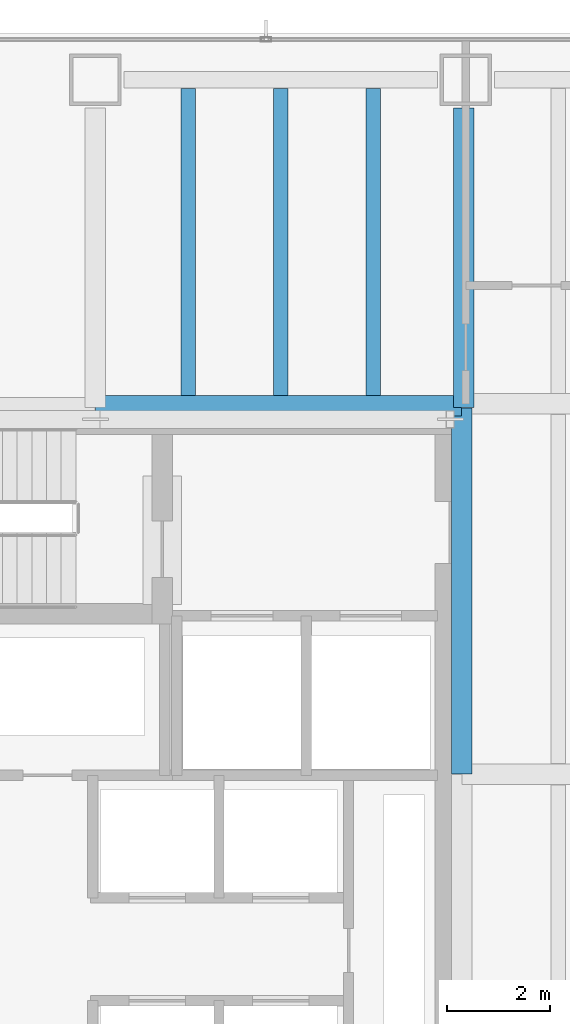
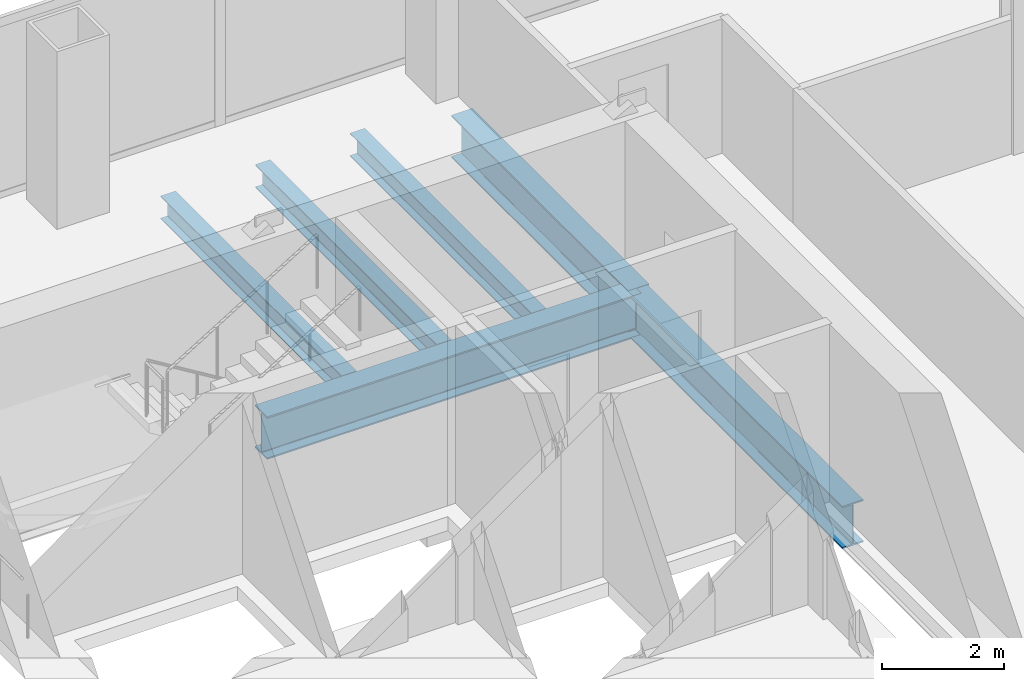
# One storey, part 15 of 25: 6 beams.
"""IFC4 building model written with IfcOpenShell, lengths in metres."""

from ifc_helpers import new_model, si_unit, direction, frame, origin, origin_2d, place, context, subcontext, project, spatial, i_section, extrude, material, material_profile, profile_set, type_object, element, save


model = new_model("IFC4")

# Units and contexts
model_context = context("Model", 3, precision=1e-05, world=origin(), true_north=direction((0.0, 1.0)))
body_context = subcontext(model_context, "Body", "Model", "MODEL_VIEW")
ifc_project = project(units=[si_unit("LENGTHUNIT", "METRE"), si_unit("AREAUNIT", "SQUARE_METRE"), si_unit("VOLUMEUNIT", "CUBIC_METRE"), si_unit("PLANEANGLEUNIT", "RADIAN"), si_unit("MASSUNIT", "GRAM", prefix="KILO")], contexts=[model_context])

# Site, building, storey
site_placement = place(None, origin())
site = spatial("IfcSite", under=ifc_project, at=site_placement, CompositionType="ELEMENT")
building_placement = place(site_placement, origin())
building = spatial("IfcBuilding", under=site, at=building_placement, Name="Cobrela Telecom Tower", CompositionType="ELEMENT")
storey_placement = place(building_placement, frame((0.0, 0.0, 46.550048828125)))
storey = spatial("IfcBuildingStorey", under=building, at=storey_placement, Name="L11", CompositionType="ELEMENT", Elevation=46.550048828125)

# Beams
ifc_material = material(Name="Steel ASTM A992 Grade 50", Category="steel")
ifc_material_profile_1 = material_profile(ifc_material, i_section(OverallWidth=0.39892578125, OverallDepth=0.85595703125, WebThickness=0.018310546875, FlangeThickness=0.029296875, FilletRadius=0.02001953125, at=origin_2d()), Name="W33X201")
ifc_profile_set_1 = profile_set([ifc_material_profile_1], Name="Steel ASTM A992 Grade 50")
beam_type_1 = type_object("IfcBeamType", Name="BM-GIRD-03", PredefinedType="USERDEFINED", material=ifc_profile_set_1)
beam_1_placement = place(storey_placement, frame((7.205078125, 35.9599609375, -0.7080078125), z_axis=(1.0, 0.0, 0.0), x_axis=(0.0, 1.0, 0.0)))
element("IfcBeam", 1, at=beam_1_placement, inside=storey, type_object=beam_type_1, Name="L11 Primary Girder X26", ObjectType="GIRDER", PredefinedType="USERDEFINED", context=body_context, shape_type="SweptSolid", body=[
    extrude(i_section(OverallWidth=0.39892578125, OverallDepth=0.85595703125, WebThickness=0.018310546875, FlangeThickness=0.029296875, FilletRadius=0.02001953125, at=origin_2d()), origin(), (0.0, 0.0, 1.0), 7.10986328125),
])
beam_2_placement = place(storey_placement, frame((14.320068359375, 28.804931640625, -0.7080078125), z_axis=(0.0, 1.0, 0.0), x_axis=(-1.0, 0.0, 0.0)))
element("IfcBeam", 2, at=beam_2_placement, inside=storey, type_object=beam_type_1, Name="L11 Primary Girder Y38", ObjectType="GIRDER", PredefinedType="USERDEFINED", context=body_context, shape_type="SweptSolid", body=[
    extrude(i_section(OverallWidth=0.39892578125, OverallDepth=0.85595703125, WebThickness=0.018310546875, FlangeThickness=0.029296875, FilletRadius=0.02001953125, at=origin_2d()), origin(), (0.0, 0.0, 1.0), 7.110107421875),
])
beam_3_placement = place(storey_placement, frame((14.360107421875, 35.925048828125, -0.7080078125), z_axis=(0.0, 1.0, 0.0), x_axis=(-1.0, 0.0, 0.0)))
element("IfcBeam", 3, at=beam_3_placement, inside=storey, type_object=beam_type_1, Name="L11 Primary Girder Y39", ObjectType="GIRDER", PredefinedType="USERDEFINED", context=body_context, shape_type="SweptSolid", body=[
    extrude(i_section(OverallWidth=0.39892578125, OverallDepth=0.85595703125, WebThickness=0.018310546875, FlangeThickness=0.029296875, FilletRadius=0.02001953125, at=origin_2d()), origin(), (0.0, 0.0, 1.0), 5.820068359375),
])
ifc_material_profile_2 = material_profile(ifc_material, i_section(OverallWidth=0.281982421875, OverallDepth=0.467041015625, WebThickness=0.01220703125, FlangeThickness=0.01953125, FilletRadius=0.012939453125, at=origin_2d()), Name="W18X86")
ifc_profile_set_2 = profile_set([ifc_material_profile_2], Name="Steel ASTM A992 Grade 50")
beam_type_2 = type_object("IfcBeamType", Name="BM-JOIST-02", PredefinedType="JOIST", material=ifc_profile_set_2)
for number, where, z_axis, x_axis, name in (
    (4, (9.0, 36.16455078125, -0.513427734375), (0.0, 1.0, 0.0), (-1.0, 0.0, 0.0), "L11 Secondary Composite Floor Beam J02"),
    (5, (10.800048828125, 36.16455078125, -0.513427734375), (0.0, 1.0, 0.0), (-1.0, 0.0, 0.0), "L11 Secondary Composite Floor Beam J04"),
    (6, (12.60009765625, 36.16455078125, -0.513427734375), (0.0, 1.0, 0.0), (-1.0, 0.0, 0.0), "L11 Secondary Composite Floor Beam J06"),
):
    element("IfcBeam", number, at=place(storey_placement, frame(where, z_axis=z_axis, x_axis=x_axis)), inside=storey, type_object=beam_type_2, Name=name, PredefinedType="JOIST", context=body_context, shape_type="SweptSolid", body=[
        extrude(i_section(OverallWidth=0.281982421875, OverallDepth=0.467041015625, WebThickness=0.01220703125, FlangeThickness=0.01953125, FilletRadius=0.012939453125, at=origin_2d()), origin(), (0.0, 0.0, 1.0), 5.968017578125),
    ])

save(model, "model.ifc")
